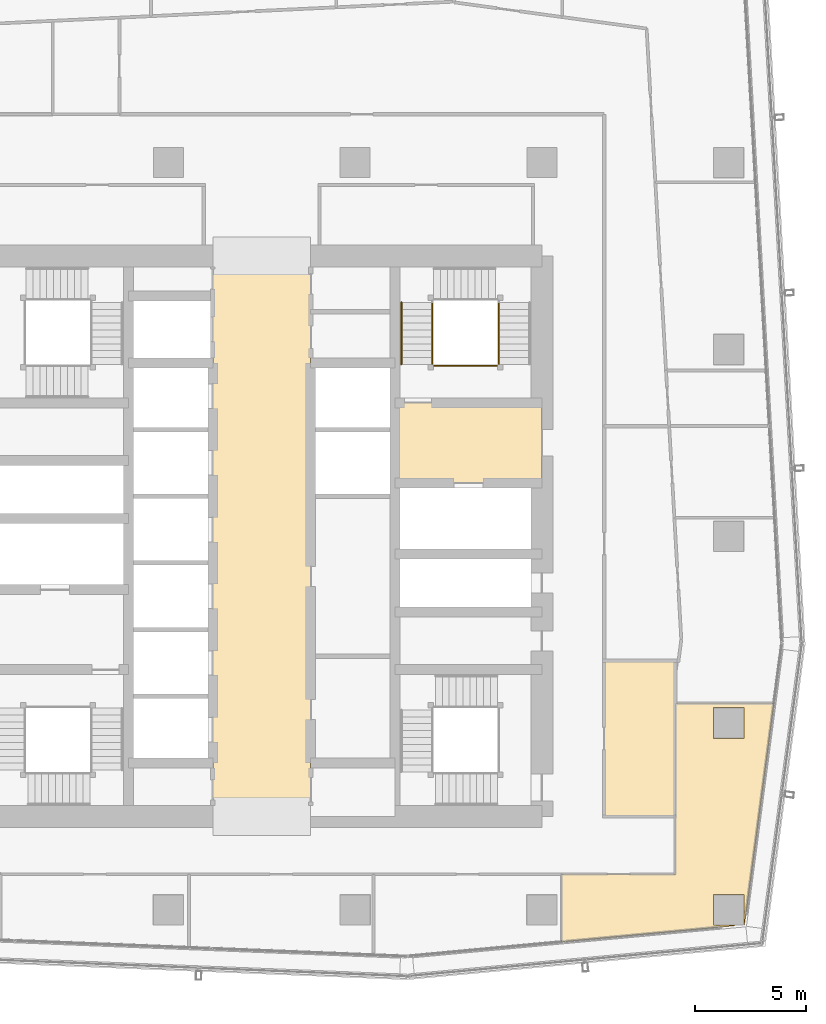
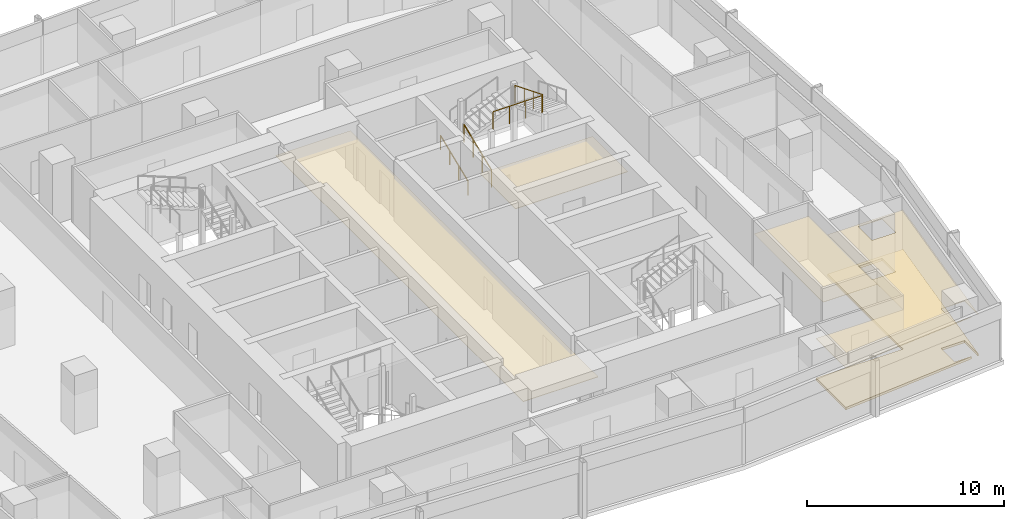
# One storey, part 37 of 39: 5 coverings, 4 railings.
"""IFC4 building model written with IfcOpenShell, lengths in metres."""

from ifc_helpers import new_model, si_unit, direction, frame, origin, origin_2d, place, context, subcontext, project, spatial, polyline, circle, outline, extrude, material, layer, layer_set, type_object, element, save


model = new_model("IFC4")

# Units and contexts
model_context = context("Model", 3, precision=1e-05, world=origin(), true_north=direction((0.0, 1.0)))
body_context = subcontext(model_context, "Body", "Model", "MODEL_VIEW")
ifc_project = project(units=[si_unit("LENGTHUNIT", "METRE"), si_unit("AREAUNIT", "SQUARE_METRE"), si_unit("VOLUMEUNIT", "CUBIC_METRE"), si_unit("PLANEANGLEUNIT", "RADIAN"), si_unit("MASSUNIT", "GRAM", prefix="KILO")], contexts=[model_context])

# Site, building, storey
site_placement = place(None, origin())
site = spatial("IfcSite", under=ifc_project, at=site_placement, CompositionType="ELEMENT")
building_placement = place(site_placement, origin())
building = spatial("IfcBuilding", under=site, at=building_placement, Name="Rekha Terrace Tower", CompositionType="ELEMENT")
storey_placement = place(building_placement, frame((0.0, 0.0, 187.699951171875)))
storey = spatial("IfcBuildingStorey", under=building, at=storey_placement, Name="L47", CompositionType="ELEMENT", Elevation=187.699951171875)

# Coverings
ifc_material_1 = material(Name="Mineral fibre tile in exposed grid", Category="finish")
ifc_layer_1 = layer(ifc_material_1, 0.02001953125)
ifc_layer_set_1 = layer_set([ifc_layer_1], Name="Mineral fibre tile in exposed grid")
covering_type_1 = type_object("IfcCoveringType", Name="CL1 600x1200 office grid ceiling", PredefinedType="CEILING", material=ifc_layer_set_1)
covering_1_placement = place(storey_placement, frame((0.0, 0.0, 2.580078125)))
element("IfcCovering", 1, at=covering_1_placement, inside=storey, type_object=covering_type_1, Name="Ceiling L47-04", PredefinedType="CEILING", context=body_context, shape_type="SweptSolid", body=[
    extrude(outline(polyline([(56.39990234375, 26.0830078125), (56.39990234375, 18.39990234375), (51.291015625, 18.39990234375), (51.291015625, 15.362060546875), (59.080078125, 16.0869140625), (59.0791015625, 16.110107421875), (58.110107421875, 16.110107421875), (58.110107421875, 17.489990234375), (59.489990234375, 17.489990234375), (59.489990234375, 16.12890625), (59.510009765625, 16.1279296875), (60.8291015625, 26.0830078125), (56.39990234375, 26.0830078125)]), holes=[polyline([(59.489990234375, 24.510009765625), (58.110107421875, 24.510009765625), (58.110107421875, 25.889892578125), (59.489990234375, 25.889892578125), (59.489990234375, 24.510009765625)])]), origin(), (0.0, 0.0, 1.0), 0.02001953125),
])
ifc_material_2 = material(Name="Fibre cement board", Category="finish")
ifc_layer_2 = layer(ifc_material_2, 0.014892578125)
ifc_layer_set_2 = layer_set([ifc_layer_2], Name="Fibre cement board")
covering_type_2 = type_object("IfcCoveringType", Name="CL2 moisture-resistant board ceiling", PredefinedType="CEILING", material=ifc_layer_set_2)
covering_2_placement = place(storey_placement, frame((0.0, 0.0, 2.5849609375)))
element("IfcCovering", 2, at=covering_2_placement, inside=storey, type_object=covering_type_2, Name="Ceiling L47-WCM2", PredefinedType="CEILING", context=body_context, shape_type="SweptSolid", body=[
    extrude(outline(polyline([(56.39990234375, 28.0), (53.199951171875, 28.0), (53.199951171875, 21.0), (56.39990234375, 21.0), (56.39990234375, 28.0)])), origin(), (0.0, 0.0, 1.0), 0.01513671875),
])
ifc_material_3 = material(Name="Powder-coated aluminium pan", Category="aluminium")
ifc_layer_3 = layer(ifc_material_3, 0.030029296875)
ifc_layer_set_3 = layer_set([ifc_layer_3], Name="Powder-coated aluminium pan")
covering_type_3 = type_object("IfcCoveringType", Name="CL3 300x1200 metal pan ceiling", PredefinedType="CEILING", material=ifc_layer_set_3)
covering_3_placement = place(storey_placement, frame((0.0, 0.0, 2.570068359375)))
element("IfcCovering", 3, at=covering_3_placement, inside=storey, type_object=covering_type_3, Name="Ceiling L47-LOBBY", PredefinedType="CEILING", context=body_context, shape_type="SweptSolid", body=[
    extrude(outline(polyline([(40.0, 46.199951171875), (35.60009765625, 46.199951171875), (35.60009765625, 21.0), (40.0, 21.0), (40.0, 46.199951171875)])), origin(), (0.0, 0.0, 1.0), 0.030029296875),
])
covering_4_placement = place(storey_placement, frame((0.0, 0.0, 2.570068359375)))
element("IfcCovering", 4, at=covering_4_placement, inside=storey, type_object=covering_type_3, Name="Ceiling L47-FLB2", PredefinedType="CEILING", context=body_context, shape_type="SweptSolid", body=[
    extrude(outline(polyline([(50.39990234375, 39.60009765625), (43.800048828125, 39.60009765625), (43.800048828125, 36.0), (50.39990234375, 36.0), (50.39990234375, 39.60009765625)])), origin(), (0.0, 0.0, 1.0), 0.030029296875),
])

# Railings
ifc_material_4 = material(Name="Stainless steel balustrade", Category="steel")
railing_type_1 = type_object("IfcRailingType", Name="GR1 1100 stair guard", PredefinedType="GUARDRAIL", material=ifc_material_4)
railing_1_placement = place(storey_placement, frame((45.465087890625, 41.324951171875, 0.125)))
element("IfcRailing", 5, at=railing_1_placement, inside=storey, type_object=railing_type_1, Name="Guard ST2 L47 flight 1", PredefinedType="GUARDRAIL", context=body_context, shape_type="SweptSolid", body=[
    extrude(circle(Radius=0.02392578125, at=origin_2d()), frame((0.0, 0.0, 1.076171875), z_axis=(0.0, 0.927443287984, 0.373963831907), x_axis=(-1.0, 0.0, 0.0)), (0.0, 0.0, 1.0), 3.00830078125),
    extrude(circle(Radius=0.02099609375, at=origin_2d()), origin(), (0.0, 0.0, 1.0), 1.052001953125),
    extrude(circle(Radius=0.02099609375, at=origin_2d()), frame((0.0, 0.929931640625, 0.375)), (0.0, 0.0, 1.0), 1.052001953125),
    extrude(circle(Radius=0.02099609375, at=origin_2d()), frame((0.0, 1.860107421875, 0.75)), (0.0, 0.0, 1.0), 1.052001953125),
    extrude(circle(Radius=0.02099609375, at=origin_2d()), frame((0.0, 2.7900390625, 1.125)), (0.0, 0.0, 1.0), 1.052001953125),
])
railing_2_placement = place(storey_placement, frame((48.4599609375, 44.114990234375, 2.625)))
element("IfcRailing", 6, at=railing_2_placement, inside=storey, type_object=railing_type_1, Name="Guard ST2 L47 flight 3", PredefinedType="GUARDRAIL", context=body_context, shape_type="SweptSolid", body=[
    extrude(circle(Radius=0.02392578125, at=origin_2d()), frame((0.0, 0.0, 1.076171875), z_axis=(0.0, -0.927443287984, 0.373963831907), x_axis=(1.0, 0.0, 0.0)), (0.0, 0.0, 1.0), 3.00830078125),
    extrude(circle(Radius=0.02099609375, at=origin_2d()), origin(), (0.0, 0.0, 1.0), 1.052001953125),
    extrude(circle(Radius=0.02099609375, at=origin_2d()), frame((0.0, -0.929931640625, 0.375)), (0.0, 0.0, 1.0), 1.052001953125),
    extrude(circle(Radius=0.02099609375, at=origin_2d()), frame((0.0, -1.860107421875, 0.75)), (0.0, 0.0, 1.0), 1.052001953125),
    extrude(circle(Radius=0.02099609375, at=origin_2d()), frame((0.0, -2.7900390625, 1.125)), (0.0, 0.0, 1.0), 1.052001953125),
])
railing_3_placement = place(storey_placement, frame((45.52490234375, 41.264892578125, 3.75)))
element("IfcRailing", 7, at=railing_3_placement, inside=storey, type_object=railing_type_1, Name="Guard ST2 L47 landing 4", PredefinedType="GUARDRAIL", context=body_context, shape_type="SweptSolid", body=[
    extrude(circle(Radius=0.02392578125, at=origin_2d()), frame((0.0, 0.0, 1.076171875), z_axis=(1.0, 0.0, 0.0), x_axis=(0.0, 1.0, 0.0)), (0.0, 0.0, 1.0), 2.875),
    extrude(circle(Radius=0.02099609375, at=origin_2d()), origin(), (0.0, 0.0, 1.0), 1.052001953125),
    extrude(circle(Radius=0.02099609375, at=origin_2d()), frame((0.958251953125, 0.0, 0.0)), (0.0, 0.0, 1.0), 1.052001953125),
    extrude(circle(Radius=0.02099609375, at=origin_2d()), frame((1.916748046875, 0.0, 0.0)), (0.0, 0.0, 1.0), 1.052001953125),
    extrude(circle(Radius=0.02099609375, at=origin_2d()), frame((2.875, 0.0, 0.0)), (0.0, 0.0, 1.0), 1.052001953125),
])
ifc_material_5 = material(Name="Stainless steel tube", Category="steel")
railing_type_2 = type_object("IfcRailingType", Name="HR1 900 stair handrail", PredefinedType="HANDRAIL", material=ifc_material_5)
railing_4_placement = place(storey_placement, frame((44.0849609375, 41.324951171875, 0.125)))
element("IfcRailing", 8, at=railing_4_placement, inside=storey, type_object=railing_type_2, Name="Handrail ST2 L47 flight 1", PredefinedType="HANDRAIL", context=body_context, shape_type="SweptSolid", body=[
    extrude(circle(Radius=0.02392578125, at=origin_2d()), frame((0.0, 0.0, 0.8759765625), z_axis=(0.0, 0.927443287984, 0.373963831907), x_axis=(-1.0, 0.0, 0.0)), (0.0, 0.0, 1.0), 3.00830078125),
    extrude(circle(Radius=0.02099609375, at=origin_2d()), origin(), (0.0, 0.0, 1.0), 0.851806640625),
    extrude(circle(Radius=0.02099609375, at=origin_2d()), frame((0.0, 0.929931640625, 0.375)), (0.0, 0.0, 1.0), 0.851806640625),
    extrude(circle(Radius=0.02099609375, at=origin_2d()), frame((0.0, 1.860107421875, 0.75)), (0.0, 0.0, 1.0), 0.851806640625),
    extrude(circle(Radius=0.02099609375, at=origin_2d()), frame((0.0, 2.7900390625, 1.125)), (0.0, 0.0, 1.0), 0.851806640625),
])

# Covering
ifc_material_6 = material(Name="Calcium sulphate panels on steel pedestals", Category="steel")
ifc_layer_4 = layer(ifc_material_6, 0.14990234375)
ifc_layer_set_4 = layer_set([ifc_layer_4], Name="Calcium sulphate panels on steel pedestals")
covering_type_4 = type_object("IfcCoveringType", Name="RF1 150 raised access floor", PredefinedType="FLOORING", material=ifc_layer_set_4)
covering_5_placement = place(storey_placement, origin())
element("IfcCovering", 9, at=covering_5_placement, inside=storey, type_object=covering_type_4, Name="Raised floor L47-04", PredefinedType="FLOORING", context=body_context, shape_type="SweptSolid", body=[
    extrude(outline(polyline([(56.39990234375, 26.0830078125), (56.39990234375, 18.39990234375), (51.291015625, 18.39990234375), (51.291015625, 15.362060546875), (59.080078125, 16.0869140625), (59.0791015625, 16.110107421875), (58.110107421875, 16.110107421875), (58.110107421875, 17.489990234375), (59.489990234375, 17.489990234375), (59.489990234375, 16.12890625), (59.510009765625, 16.1279296875), (60.8291015625, 26.0830078125), (56.39990234375, 26.0830078125)]), holes=[polyline([(59.489990234375, 24.510009765625), (58.110107421875, 24.510009765625), (58.110107421875, 25.889892578125), (59.489990234375, 25.889892578125), (59.489990234375, 24.510009765625)])]), origin(), (0.0, 0.0, 1.0), 0.150146484375),
])

save(model, "model.ifc")
